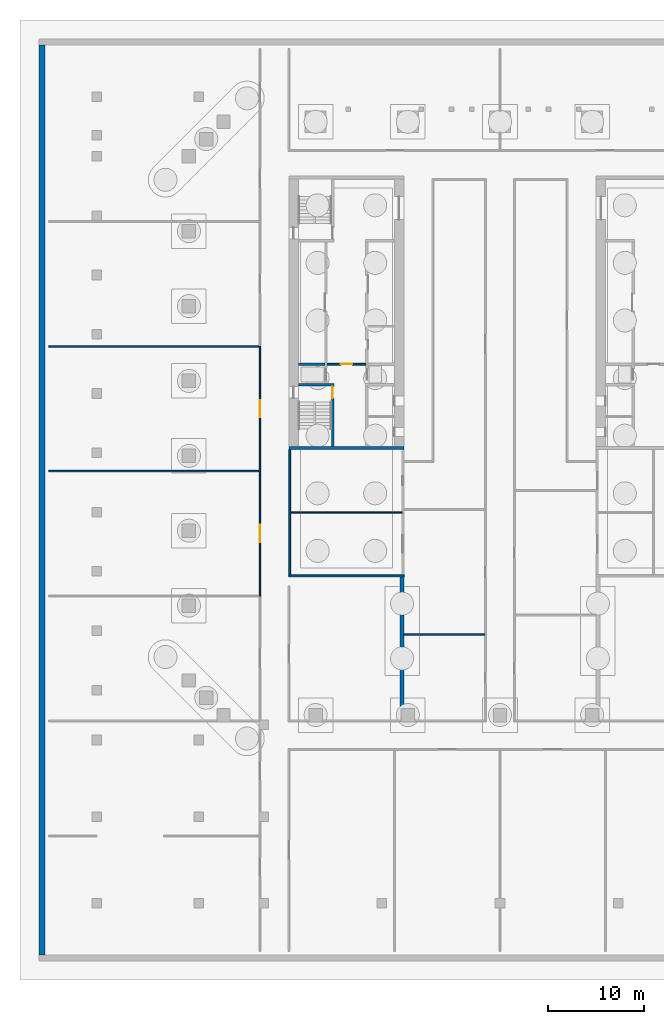
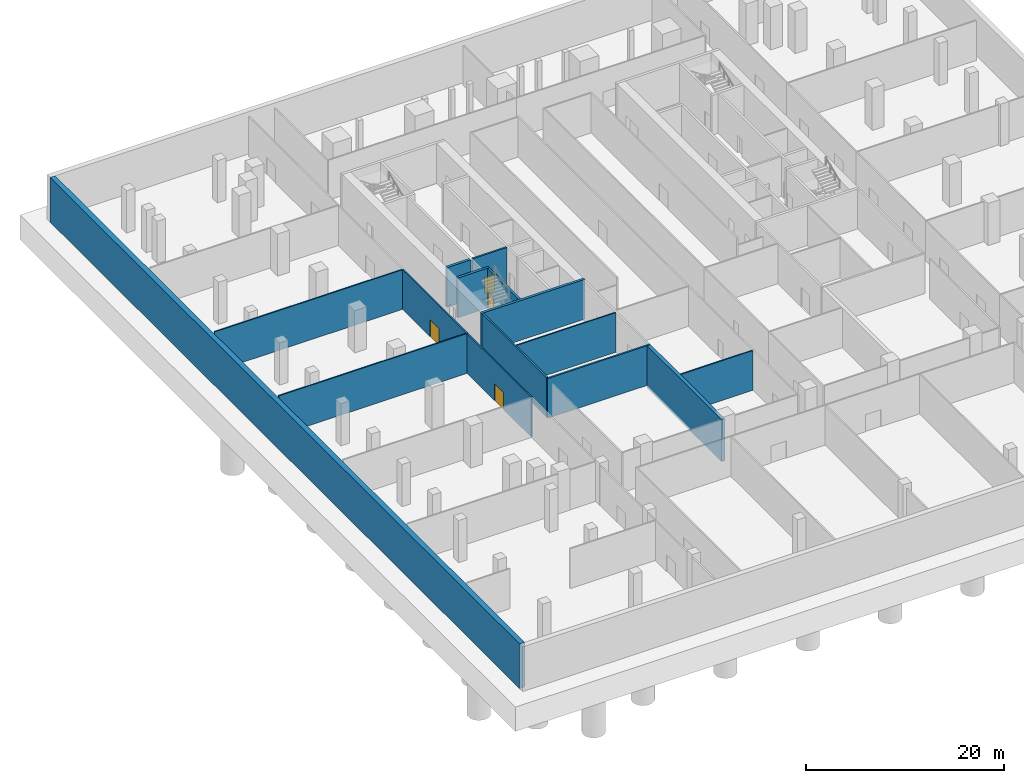
# One storey, part 5 of 14: 15 walls, 4 doors, 4 openings.
"""IFC4 building model written with IfcOpenShell, lengths in metres."""

from ifc_helpers import new_model, si_unit, direction, frame, frame_2d, origin, place, context, subcontext, project, spatial, rectangle, extrude, material, layer, layer_set, type_object, element, fill, save


model = new_model("IFC4")

# Units and contexts
model_context = context("Model", 3, precision=1e-05, world=origin(), true_north=direction((0.0, 1.0)))
body_context = subcontext(model_context, "Body", "Model", "MODEL_VIEW")
ifc_project = project(units=[si_unit("LENGTHUNIT", "METRE"), si_unit("AREAUNIT", "SQUARE_METRE"), si_unit("VOLUMEUNIT", "CUBIC_METRE"), si_unit("PLANEANGLEUNIT", "RADIAN"), si_unit("MASSUNIT", "GRAM", prefix="KILO")], contexts=[model_context])

# Site, building, storey
site_placement = place(None, origin())
site = spatial("IfcSite", under=ifc_project, at=site_placement, CompositionType="ELEMENT")
building_placement = place(site_placement, origin())
building = spatial("IfcBuilding", under=site, at=building_placement, Name="Ogive Exchange Tower", CompositionType="ELEMENT")
storey_placement = place(building_placement, frame((0.0, 0.0, -10.39990234375)))
storey = spatial("IfcBuildingStorey", under=building, at=storey_placement, Name="B2", CompositionType="ELEMENT", Elevation=-10.39990234375)

# Walls
ifc_material_1 = material(Name="Concrete C50/60", Category="concrete")
ifc_layer_1 = layer(ifc_material_1, 0.60009765625)
ifc_layer_set_1 = layer_set([ifc_layer_1], Name="Concrete C50/60 retaining wall 600")
wall_type_1 = type_object("IfcWallType", Name="Concrete C50/60 retaining wall 600", PredefinedType="SOLIDWALL", material=ifc_layer_set_1)
wall_1_placement = place(storey_placement, frame((-47.699951171875, -55.39990234375, -0.300048828125), z_axis=(0.0, 0.0, 1.0), x_axis=(0.0, 1.0, 0.0)))
element("IfcWall", 1, at=wall_1_placement, inside=storey, type_object=wall_type_1, Name="Retaining wall W", PredefinedType="SOLIDWALL", context=body_context, shape_type="SweptSolid", body=[
    extrude(rectangle(XDim=94.7998046875, YDim=0.60009765625, at=frame_2d((47.39990234375, 0.0))), origin(), (0.0, 0.0, 1.0), 5.5),
])
ifc_material_2 = material(Name="Concrete C70/85", Category="concrete")
ifc_layer_2 = layer(ifc_material_2, 0.39990234375)
ifc_layer_set_2 = layer_set([ifc_layer_2], Name="Concrete C70/85 spine wall 400")
wall_type_2 = type_object("IfcWallType", Name="Concrete C70/85 spine wall 400", PredefinedType="SHEAR", material=ifc_layer_set_2)
wall_2_placement = place(storey_placement, frame((-10.199951171875, -31.0, -0.300048828125), z_axis=(0.0, 0.0, 1.0), x_axis=(0.0, 1.0, 0.0)))
element("IfcWall", 2, at=wall_2_placement, inside=storey, type_object=wall_type_2, Name="Spine wall SW", PredefinedType="SHEAR", context=body_context, shape_type="SweptSolid", body=[
    extrude(rectangle(XDim=15.0, YDim=0.39990234375, at=frame_2d((7.5, 0.0))), origin(), (0.0, 0.0, 1.0), 5.199951171875),
])
ifc_material_3 = material(Name="Gypsum board partition")
ifc_layer_3 = layer(ifc_material_3, 0.14990234375)
ifc_layer_set_3 = layer_set([ifc_layer_3], Name="Core room partition 150 gypsum")
wall_type_3 = type_object("IfcWallType", Name="Core room partition 150 gypsum", PredefinedType="PARTITIONING", material=ifc_layer_set_3)
wall_3_placement = place(storey_placement, frame((-21.800048828125, -9.300048828125, 0.0), z_axis=(0.0, 0.0, 1.0), x_axis=(1.0, 0.0, 0.0)))
element("IfcWall", 3, at=wall_3_placement, inside=storey, type_object=wall_type_3, Name="W annex S cross wall", PredefinedType="PARTITIONING", context=body_context, shape_type="SweptSolid", body=[
    extrude(rectangle(XDim=11.60009765625, YDim=0.14990234375, at=frame_2d((5.800048828125, 0.0))), origin(), (0.0, 0.0, 1.0), 4.89990234375),
])
ifc_material_4 = material(Name="Fire partition EI 60 150")
ifc_layer_4 = layer(ifc_material_4, 0.14990234375)
ifc_layer_set_4 = layer_set([ifc_layer_4], Name="Fire partition EI 60 150")
wall_type_4 = type_object("IfcWallType", Name="Fire partition EI 60 150", PredefinedType="PARTITIONING", material=ifc_layer_set_4)
wall_4_placement = place(storey_placement, frame((-10.0, -22.0, 0.0), z_axis=(0.0, 0.0, 1.0), x_axis=(1.0, 0.0, 0.0)))
element("IfcWall", 4, at=wall_4_placement, inside=storey, type_object=wall_type_4, Name="B2-PWL-019", PredefinedType="PARTITIONING", context=body_context, shape_type="SweptSolid", body=[
    extrude(rectangle(XDim=8.425048828125, YDim=0.14990234375, at=frame_2d((4.21240234375, 0.0))), origin(), (0.0, 0.0, 1.0), 4.89990234375),
])
for number, where, z_axis, x_axis, name in (
    (5, (-47.0, -5.0, 0.0), (0.0, 0.0, 1.0), (1.0, 0.0, 0.0), "B2-PWL-026"),
    (6, (-47.0, 8.0, 0.0), (0.0, 0.0, 1.0), (1.0, 0.0, 0.0), "B2-PWL-031"),
):
    element("IfcWall", number, at=place(storey_placement, frame(where, z_axis=z_axis, x_axis=x_axis)), inside=storey, type_object=wall_type_4, Name=name, PredefinedType="PARTITIONING", context=body_context, shape_type="SweptSolid", body=[
        extrude(rectangle(XDim=21.925048828125, YDim=0.14990234375, at=frame_2d((10.96240234375, 0.0))), origin(), (0.0, 0.0, 1.0), 4.89990234375),
    ])

# Wall, opening, door
wall_5_placement = place(storey_placement, frame((-25.0, -18.0, 0.0), z_axis=(0.0, 0.0, 1.0), x_axis=(0.0, 1.0, 0.0)))
wall_5 = element("IfcWall", 7, at=wall_5_placement, inside=storey, type_object=wall_type_4, Name="B2-PWL-043", PredefinedType="PARTITIONING", context=body_context, shape_type="SweptSolid", body=[
    extrude(rectangle(XDim=13.0, YDim=0.14990234375, at=frame_2d((6.5, 0.0))), origin(), (0.0, 0.0, 1.0), 4.89990234375),
])
opening_1_placement = place(wall_5_placement, frame((5.60009765625, 0.0, 0.0)))
opening_1 = element("IfcOpeningElement", 8, at=opening_1_placement, cuts=wall_5, Name="Opening B2-I04", PredefinedType="OPENING", context=body_context, shape_type="SweptSolid", body=[
    extrude(rectangle(XDim=1.800048828125, YDim=2.10009765625, at=frame_2d((0.89990234375, 1.050048828125))), frame((0.0, 0.0849609375, 0.0), z_axis=(0.0, -1.0, 0.0), x_axis=(1.0, 0.0, 0.0)), (0.0, 0.0, 1.0), 0.169921875),
])
ifc_material_5 = material(Name="Fire door FD 30S 1800 x 2100")
door_type_1 = type_object("IfcDoorType", Name="Fire door FD 30S 1800 x 2100", OperationType="DOUBLE_DOOR_SINGLE_SWING", PredefinedType="DOOR", material=ifc_material_5)
door_1_placement = place(opening_1_placement, frame((1.800048828125, 0.0, 0.0), z_axis=(0.0, 0.0, 1.0), x_axis=(-1.0, 0.0, 0.0)))
door_1 = element("IfcDoor", 9, at=door_1_placement, inside=storey, type_object=door_type_1, Name="B2-IDR-004", ObjectType="DT4", OperationType="SINGLE_SWING_LEFT", OverallHeight=2.10009765625, OverallWidth=1.800048828125, PredefinedType="DOOR", context=body_context, shape_type="SweptSolid", body=[
    extrude(rectangle(XDim=1.800048828125, YDim=2.10009765625, at=frame_2d((0.89990234375, 1.050048828125))), frame((0.0, 0.02490234375, 0.0), z_axis=(0.0, -1.0, 0.0), x_axis=(1.0, 0.0, 0.0)), (0.0, 0.0, 1.0), 0.050048828125),
])
fill(opening_1, door_1)

wall_6_placement = place(storey_placement, frame((-25.0, -5.0, 0.0), z_axis=(0.0, 0.0, 1.0), x_axis=(0.0, 1.0, 0.0)))
wall_6 = element("IfcWall", 10, at=wall_6_placement, inside=storey, type_object=wall_type_4, Name="B2-PWL-044", PredefinedType="PARTITIONING", context=body_context, shape_type="SweptSolid", body=[
    extrude(rectangle(XDim=13.0, YDim=0.14990234375, at=frame_2d((6.5, 0.0))), origin(), (0.0, 0.0, 1.0), 4.89990234375),
])
opening_2_placement = place(wall_6_placement, frame((5.60009765625, 0.0, 0.0)))
opening_2 = element("IfcOpeningElement", 11, at=opening_2_placement, cuts=wall_6, Name="Opening B2-I05", PredefinedType="OPENING", context=body_context, shape_type="SweptSolid", body=[
    extrude(rectangle(XDim=1.800048828125, YDim=2.10009765625, at=frame_2d((0.89990234375, 1.050048828125))), frame((0.0, 0.0849609375, 0.0), z_axis=(0.0, -1.0, 0.0), x_axis=(1.0, 0.0, 0.0)), (0.0, 0.0, 1.0), 0.169921875),
])
door_2_placement = place(opening_2_placement, frame((1.800048828125, 0.0, 0.0), z_axis=(0.0, 0.0, 1.0), x_axis=(-1.0, 0.0, 0.0)))
door_2 = element("IfcDoor", 12, at=door_2_placement, inside=storey, type_object=door_type_1, Name="B2-IDR-005", ObjectType="DT4", OperationType="SINGLE_SWING_LEFT", OverallHeight=2.10009765625, OverallWidth=1.800048828125, PredefinedType="DOOR", context=body_context, shape_type="SweptSolid", body=[
    extrude(rectangle(XDim=1.800048828125, YDim=2.10009765625, at=frame_2d((0.89990234375, 1.050048828125))), frame((0.0, 0.02490234375, 0.0), z_axis=(0.0, -1.0, 0.0), x_axis=(1.0, 0.0, 0.0)), (0.0, 0.0, 1.0), 0.050048828125),
])
fill(opening_2, door_2)

ifc_layer_5 = layer(ifc_material_2, 0.199951171875)
ifc_layer_set_5 = layer_set([ifc_layer_5], Name="RC core wall 200 C70/85")
wall_type_5 = type_object("IfcWallType", Name="RC core wall 200 C70/85", PredefinedType="SHEAR", material=ifc_layer_set_5)
wall_7_placement = place(storey_placement, frame((-18.0, 6.142822265625, 0.0), z_axis=(0.0, 0.0, 1.0), x_axis=(1.0, 0.0, 0.0)))
wall_7 = element("IfcWall", 13, at=wall_7_placement, inside=storey, type_object=wall_type_5, Name="W firefighting lobby wall", PredefinedType="SHEAR", context=body_context, shape_type="SweptSolid", body=[
    extrude(rectangle(XDim=4.0, YDim=0.199951171875, at=frame_2d((2.0, 0.0))), origin(), (0.0, 0.0, 1.0), 4.89990234375),
])
opening_3_placement = place(wall_7_placement, frame((1.39990234375, 0.0, 0.0)))
opening_3 = element("IfcOpeningElement", 14, at=opening_3_placement, cuts=wall_7, Name="Opening B2-C06", PredefinedType="OPENING", context=body_context, shape_type="SweptSolid", body=[
    extrude(rectangle(XDim=1.199951171875, YDim=2.10009765625, at=frame_2d((0.60009765625, 1.050048828125))), frame((0.0, 0.10986328125, 0.0), z_axis=(0.0, -1.0, 0.0), x_axis=(1.0, 0.0, 0.0)), (0.0, 0.0, 1.0), 0.219970703125),
])
ifc_material_6 = material(Name="Steel fire door", Category="steel")
door_type_2 = type_object("IfcDoorType", Name="Firefighting lobby door FD60 1200 x 2100", OperationType="NOTDEFINED", PredefinedType="DOOR", material=ifc_material_6)
door_3_placement = place(opening_3_placement, frame((1.199951171875, 0.0, 0.0), z_axis=(0.0, 0.0, 1.0), x_axis=(-1.0, 0.0, 0.0)))
door_3 = element("IfcDoor", 15, at=door_3_placement, inside=storey, type_object=door_type_2, Name="Firefighting lobby door", ObjectType="CD3", OperationType="SINGLE_SWING_LEFT", OverallHeight=2.10009765625, OverallWidth=1.199951171875, PredefinedType="DOOR", context=body_context, shape_type="SweptSolid", body=[
    extrude(rectangle(XDim=1.199951171875, YDim=2.10009765625, at=frame_2d((0.60009765625, 1.050048828125))), frame((0.0, 0.02490234375, 0.0), z_axis=(0.0, -1.0, 0.0), x_axis=(1.0, 0.0, 0.0)), (0.0, 0.0, 1.0), 0.050048828125),
])
fill(opening_3, door_3)

# Walls
wall_8_placement = place(storey_placement, frame((-21.89990234375, -15.800048828125, 0.0), z_axis=(0.0, 0.0, 1.0), x_axis=(0.0, 1.0, 0.0)))
element("IfcWall", 16, at=wall_8_placement, inside=storey, type_object=wall_type_5, Name="W annex S outer wall", PredefinedType="SHEAR", context=body_context, shape_type="SweptSolid", body=[
    extrude(rectangle(XDim=13.050048828125, YDim=0.199951171875, at=frame_2d((6.52490234375, 0.0))), origin(), (0.0, 0.0, 1.0), 4.89990234375),
])
wall_9_placement = place(storey_placement, frame((-22.0, -15.89990234375, 0.0), z_axis=(0.0, 0.0, 1.0), x_axis=(1.0, 0.0, 0.0)))
element("IfcWall", 17, at=wall_9_placement, inside=storey, type_object=wall_type_5, Name="W annex S end wall", PredefinedType="SHEAR", context=body_context, shape_type="SweptSolid", body=[
    extrude(rectangle(XDim=12.0, YDim=0.199951171875, at=frame_2d((6.0, 0.0))), origin(), (0.0, 0.0, 1.0), 4.89990234375),
])

# Wall, opening, door
ifc_layer_6 = layer(ifc_material_2, 0.25)
ifc_layer_set_6 = layer_set([ifc_layer_6], Name="RC core wall 250 C70/85")
wall_type_6 = type_object("IfcWallType", Name="RC core wall 250 C70/85", PredefinedType="SHEAR", material=ifc_layer_set_6)
wall_10_placement = place(storey_placement, frame((-17.425048828125, -2.449951171875, 0.0), z_axis=(0.0, 0.0, 1.0), x_axis=(0.0, 1.0, 0.0)))
wall_10 = element("IfcWall", 18, at=wall_10_placement, inside=storey, type_object=wall_type_6, Name="W stair S front wall", PredefinedType="SHEAR", context=body_context, shape_type="SweptSolid", body=[
    extrude(rectangle(XDim=6.300048828125, YDim=0.25, at=frame_2d((3.14990234375, 0.0))), origin(), (0.0, 0.0, 1.0), 4.89990234375),
])
opening_4_placement = place(wall_10_placement, frame((5.050048828125, 0.0, 0.0)))
opening_4 = element("IfcOpeningElement", 19, at=opening_4_placement, cuts=wall_10, Name="Opening B2-C08", PredefinedType="OPENING", context=body_context, shape_type="SweptSolid", body=[
    extrude(rectangle(XDim=1.199951171875, YDim=2.10009765625, at=frame_2d((0.60009765625, 1.050048828125))), frame((0.0, 0.135009765625, 0.0), z_axis=(0.0, -1.0, 0.0), x_axis=(1.0, 0.0, 0.0)), (0.0, 0.0, 1.0), 0.27001953125),
])
door_type_3 = type_object("IfcDoorType", Name="Stair door FD90 1200 x 2100", OperationType="NOTDEFINED", PredefinedType="DOOR", material=ifc_material_6)
door_4_placement = place(opening_4_placement, origin())
door_4 = element("IfcDoor", 20, at=door_4_placement, inside=storey, type_object=door_type_3, Name="Stair door", ObjectType="CD5", OperationType="SINGLE_SWING_LEFT", OverallHeight=2.10009765625, OverallWidth=1.199951171875, PredefinedType="DOOR", context=body_context, shape_type="SweptSolid", body=[
    extrude(rectangle(XDim=1.199951171875, YDim=2.10009765625, at=frame_2d((0.60009765625, 1.050048828125))), frame((0.0, 0.02490234375, 0.0), z_axis=(0.0, -1.0, 0.0), x_axis=(1.0, 0.0, 0.0)), (0.0, 0.0, 1.0), 0.050048828125),
])
fill(opening_4, door_4)

# Walls
ifc_layer_7 = layer(ifc_material_2, 0.300048828125)
ifc_layer_set_7 = layer_set([ifc_layer_7], Name="RC core wall 300 C70/85")
wall_type_7 = type_object("IfcWallType", Name="RC core wall 300 C70/85", PredefinedType="SHEAR", material=ifc_layer_set_7)
wall_11_placement = place(storey_placement, frame((-22.0, -2.60009765625, 0.0), z_axis=(0.0, 0.0, 1.0), x_axis=(1.0, 0.0, 0.0)))
element("IfcWall", 21, at=wall_11_placement, inside=storey, type_object=wall_type_7, Name="W south end wall", PredefinedType="SHEAR", context=body_context, shape_type="SweptSolid", body=[
    extrude(rectangle(XDim=12.0, YDim=0.300048828125, at=frame_2d((6.0, 0.0))), origin(), (0.0, 0.0, 1.0), 4.89990234375),
])
wall_12_placement = place(storey_placement, frame((-21.0, 4.0, 0.0), z_axis=(0.0, 0.0, 1.0), x_axis=(1.0, 0.0, 0.0)))
element("IfcWall", 22, at=wall_12_placement, inside=storey, type_object=wall_type_7, Name="W stair S north wall", PredefinedType="SHEAR", context=body_context, shape_type="SweptSolid", body=[
    extrude(rectangle(XDim=3.699951171875, YDim=0.300048828125, at=frame_2d((1.85009765625, 0.0))), origin(), (0.0, 0.0, 1.0), 4.89990234375),
])
wall_13_placement = place(storey_placement, frame((-21.0, 6.142822265625, 0.0), z_axis=(0.0, 0.0, 1.0), x_axis=(1.0, 0.0, 0.0)))
element("IfcWall", 23, at=wall_13_placement, inside=storey, type_object=wall_type_7, Name="W row A divider 1", PredefinedType="SHEAR", context=body_context, shape_type="SweptSolid", body=[
    extrude(rectangle(XDim=2.75, YDim=0.300048828125, at=frame_2d((1.375, 0.0))), origin(), (0.0, 0.0, 1.0), 4.89990234375),
])

save(model, "model.ifc")
